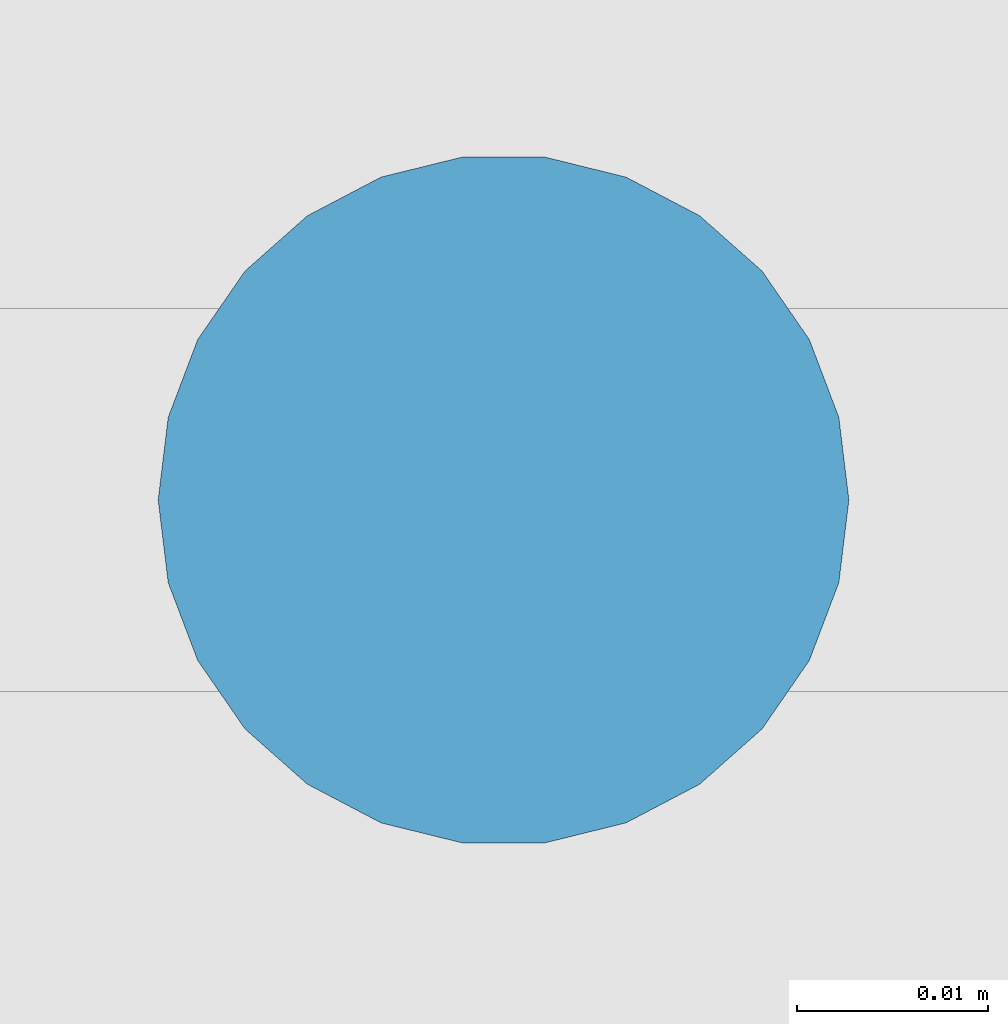
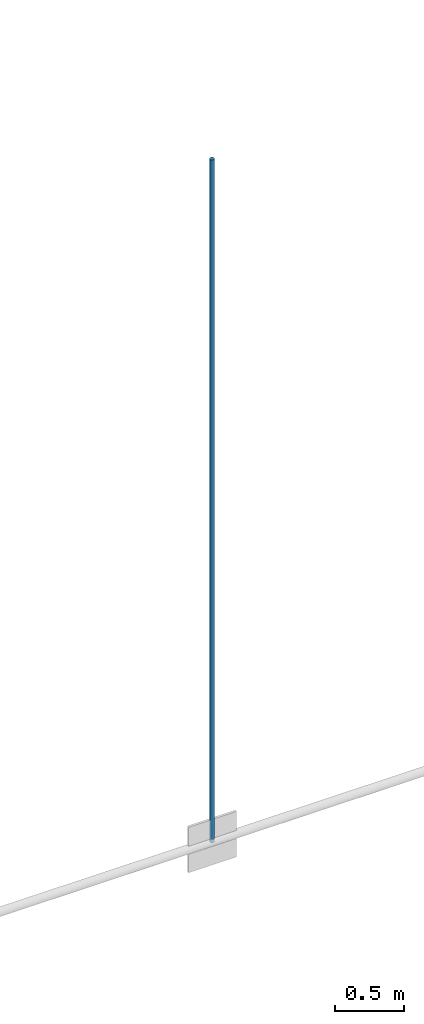
# One storey, part 25 of 321: 1 member.
"""IFC4 building model written with IfcOpenShell, lengths in metres."""

from ifc_helpers import new_model, si_unit, direction, frame, origin, origin_2d, place, context, subcontext, project, spatial, circle, extrude, material, material_profile, profile_set, type_object, element, save


model = new_model("IFC4")

# Units and contexts
model_context = context("Model", 3, precision=1e-05, world=origin(), true_north=direction((0.0, 1.0)))
body_context = subcontext(model_context, "Body", "Model", "MODEL_VIEW")
ifc_project = project(units=[si_unit("LENGTHUNIT", "METRE"), si_unit("AREAUNIT", "SQUARE_METRE"), si_unit("VOLUMEUNIT", "CUBIC_METRE"), si_unit("PLANEANGLEUNIT", "RADIAN"), si_unit("MASSUNIT", "GRAM", prefix="KILO")], contexts=[model_context])

# Site, building, storey
site_placement = place(None, origin())
site = spatial("IfcSite", under=ifc_project, at=site_placement, CompositionType="ELEMENT")
building_placement = place(site_placement, origin())
building = spatial("IfcBuilding", under=site, at=building_placement, Name="Ravi Spectrum Wholesale Market", CompositionType="ELEMENT")
storey_placement = place(building_placement, frame((0.0, 0.0, 10.800048828125)))
storey = spatial("IfcBuildingStorey", under=building, at=storey_placement, Name="L02", CompositionType="ELEMENT", Elevation=10.800048828125)

# Member
ifc_material = material(Name="Steel S355", Category="steel")
ifc_material_profile = material_profile(ifc_material, circle(Radius=0.01806640625, at=origin_2d()))
ifc_profile_set = profile_set([ifc_material_profile], Name="Steel S355")
member_type = type_object("IfcMemberType", Name="ROD 36 hanger", PredefinedType="STRUT", material=ifc_profile_set)
member_placement = place(storey_placement, frame((70.0, 42.0, 0.023193359375), z_axis=(0.0, 0.0, 1.0), x_axis=(1.0, 0.0, 0.0)))
element("IfcMember", 1, at=member_placement, inside=storey, type_object=member_type, Name="H1-MB-L02-160", PredefinedType="STRUT", context=body_context, shape_type="SweptSolid", body=[
    extrude(circle(Radius=0.01806640625, at=origin_2d()), origin(), (0.0, 0.0, 1.0), 6.002197265625),
])

save(model, "model.ifc")
